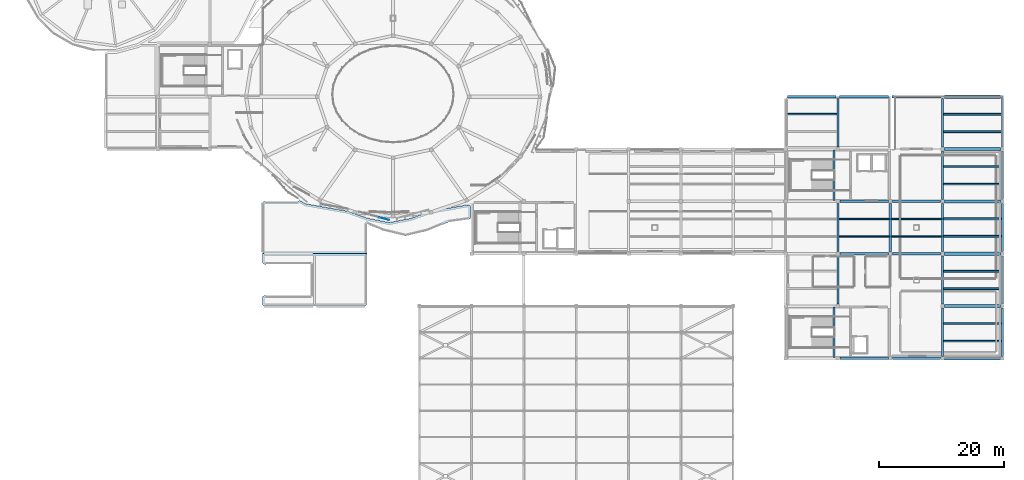
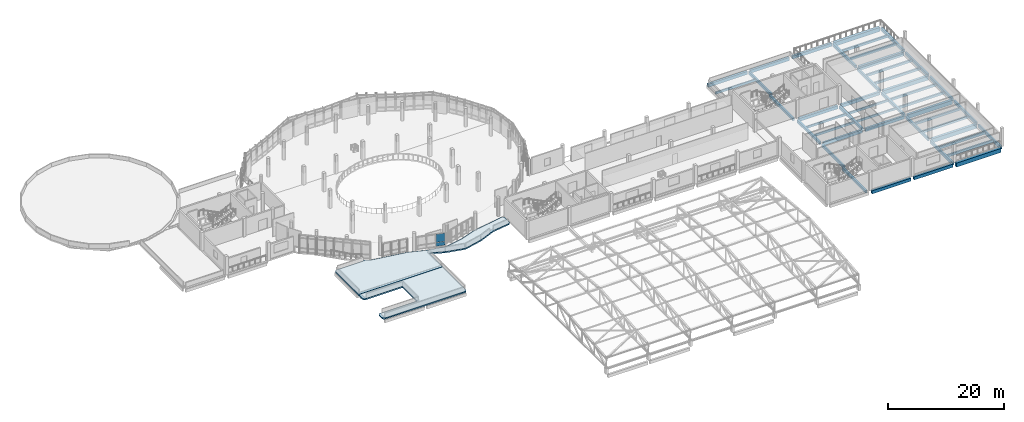
# One storey, part 48 of 74: 46 beams, 2 plates, 2 slabs, 1 element without a shape of its own.
"""IFC4 building model written with IfcOpenShell, lengths in metres."""

from ifc_helpers import new_model, si_unit, derived_unit, direction, frame, origin, origin_2d, place, context, subcontext, project, spatial, polyline, rectangle, outline, extrude, material, layer, layer_set, material_profile, profile_set, type_object, element, aggregate, save


model = new_model("IFC4")

# Units and contexts
model_context = context("Model", 3, precision=1e-05, world=origin(), true_north=direction((0.0, 1.0)))
body_context = subcontext(model_context, "Body", "Model", "MODEL_VIEW")
ifc_project = project(units=[si_unit("LENGTHUNIT", "METRE"), si_unit("AREAUNIT", "SQUARE_METRE"), si_unit("VOLUMEUNIT", "CUBIC_METRE"), si_unit("PLANEANGLEUNIT", "RADIAN"), si_unit("MASSUNIT", "GRAM", prefix="KILO"), derived_unit("THERMALTRANSMITTANCEUNIT", [(si_unit("POWERUNIT", "WATT"), 1), (si_unit("LENGTHUNIT", "METRE"), -2), (si_unit("THERMODYNAMICTEMPERATUREUNIT", "KELVIN"), -1)])], contexts=[model_context])

# Site, building, storey
site_placement = place(None, origin())
site = spatial("IfcSite", under=ifc_project, at=site_placement, CompositionType="ELEMENT")
building_placement = place(site_placement, origin())
building = spatial("IfcBuilding", under=site, at=building_placement, Name="Elbkamm Science Centre", CompositionType="ELEMENT")
storey_placement = place(building_placement, frame((0.0, 0.0, 14.39990234375)))
storey = spatial("IfcBuildingStorey", under=building, at=storey_placement, Name="L03", CompositionType="ELEMENT", Elevation=14.39990234375)

# Beams
ifc_material_1 = material(Name="Concrete C40/50", Category="concrete")
ifc_material_profile_1 = material_profile(ifc_material_1, rectangle(XDim=0.35009765625, YDim=0.60009765625, at=origin_2d()), Name="RC 350x600")
ifc_profile_set_1 = profile_set([ifc_material_profile_1], Name="Concrete C40/50")
beam_type_1 = type_object("IfcBeamType", Name="BM-RC-350x600", PredefinedType="BEAM", material=ifc_profile_set_1)
for number, where, z_axis, x_axis, name in (
    (1, (134.39990234375, 33.925048828125, -0.579833984375), (0.0, 1.0, 0.0), (-1.0, 0.0, 0.0), "L03 Primary Y-Girder 014"),
    (2, (134.39990234375, 42.324951171875, -0.579833984375), (0.0, 1.0, 0.0), (-1.0, 0.0, 0.0), "L03 Primary Y-Girder 015"),
):
    element("IfcBeam", number, at=place(storey_placement, frame(where, z_axis=z_axis, x_axis=x_axis)), inside=storey, type_object=beam_type_1, Name=name, PredefinedType="BEAM", context=body_context, shape_type="SweptSolid", body=[
        extrude(rectangle(XDim=0.35009765625, YDim=0.60009765625, at=origin_2d()), origin(), (0.0, 0.0, 1.0), 7.75),
    ])
beam_1_placement = place(storey_placement, frame((134.39990234375, 59.125, -0.56982421875), z_axis=(0.0, 1.0, 0.0), x_axis=(-1.0, 0.0, 0.0)))
element("IfcBeam", 3, at=beam_1_placement, inside=storey, type_object=beam_type_1, Name="L03 Primary Y-Girder 016", PredefinedType="BEAM", context=body_context, shape_type="SweptSolid", body=[
    extrude(rectangle(XDim=0.35009765625, YDim=0.60009765625, at=origin_2d()), origin(), (0.0, 0.0, 1.0), 7.800048828125),
])
for number, where, z_axis, x_axis, name in (
    (4, (142.800048828125, 42.324951171875, -0.579833984375), (0.0, 1.0, 0.0), (-1.0, 0.0, 0.0), "L03 Primary Y-Girder 017"),
    (5, (151.199951171875, 25.52490234375, -0.579833984375), (0.0, 1.0, 0.0), (-1.0, 0.0, 0.0), "L03 Primary Y-Girder 018"),
    (6, (151.199951171875, 33.925048828125, -0.579833984375), (0.0, 1.0, 0.0), (-1.0, 0.0, 0.0), "L03 Primary Y-Girder 019"),
    (7, (151.199951171875, 42.324951171875, -0.579833984375), (0.0, 1.0, 0.0), (-1.0, 0.0, 0.0), "L03 Primary Y-Girder 020"),
    (8, (151.199951171875, 50.72509765625, -0.579833984375), (0.0, 1.0, 0.0), (-1.0, 0.0, 0.0), "L03 Primary Y-Girder 021"),
):
    element("IfcBeam", number, at=place(storey_placement, frame(where, z_axis=z_axis, x_axis=x_axis)), inside=storey, type_object=beam_type_1, Name=name, PredefinedType="BEAM", context=body_context, shape_type="SweptSolid", body=[
        extrude(rectangle(XDim=0.35009765625, YDim=0.60009765625, at=origin_2d()), origin(), (0.0, 0.0, 1.0), 7.75),
    ])
beam_2_placement = place(storey_placement, frame((151.199951171875, 59.125, -0.52001953125), z_axis=(0.0, 1.0, 0.0), x_axis=(-1.0, 0.0, 0.0)))
element("IfcBeam", 9, at=beam_2_placement, inside=storey, type_object=beam_type_1, Name="L03 Primary Y-Girder 022", PredefinedType="BEAM", context=body_context, shape_type="SweptSolid", body=[
    extrude(rectangle(XDim=0.35009765625, YDim=0.60009765625, at=origin_2d()), origin(), (0.0, 0.0, 1.0), 7.800048828125),
])
for number, where, z_axis, x_axis, name in (
    (10, (160.800048828125, 25.52490234375, -0.579833984375), (0.0, 1.0, 0.0), (-1.0, 0.0, 0.0), "L03 Primary Y-Girder 023"),
    (11, (160.800048828125, 33.925048828125, -0.579833984375), (0.0, 1.0, 0.0), (-1.0, 0.0, 0.0), "L03 Primary Y-Girder 024"),
    (12, (160.800048828125, 42.324951171875, -0.579833984375), (0.0, 1.0, 0.0), (-1.0, 0.0, 0.0), "L03 Primary Y-Girder 025"),
    (13, (160.800048828125, 50.72509765625, -0.579833984375), (0.0, 1.0, 0.0), (-1.0, 0.0, 0.0), "L03 Primary Y-Girder 026"),
):
    element("IfcBeam", number, at=place(storey_placement, frame(where, z_axis=z_axis, x_axis=x_axis)), inside=storey, type_object=beam_type_1, Name=name, PredefinedType="BEAM", context=body_context, shape_type="SweptSolid", body=[
        extrude(rectangle(XDim=0.35009765625, YDim=0.60009765625, at=origin_2d()), origin(), (0.0, 0.0, 1.0), 7.75),
    ])
beam_3_placement = place(storey_placement, frame((160.800048828125, 59.125, -0.52001953125), z_axis=(0.0, 1.0, 0.0), x_axis=(-1.0, 0.0, 0.0)))
element("IfcBeam", 14, at=beam_3_placement, inside=storey, type_object=beam_type_1, Name="L03 Primary Y-Girder 027", PredefinedType="BEAM", context=body_context, shape_type="SweptSolid", body=[
    extrude(rectangle(XDim=0.35009765625, YDim=0.60009765625, at=origin_2d()), origin(), (0.0, 0.0, 1.0), 7.800048828125),
])
for number, where, z_axis, x_axis, name in (
    (15, (133.780029296875, 50.550048828125, -0.2998046875), (0.0, 1.0, 0.0), (-1.0, 0.0, 0.0), "L03 ST-C3 Landing Trimmer Beam"),
    (16, (133.780029296875, 25.35009765625, -0.2998046875), (0.0, 1.0, 0.0), (-1.0, 0.0, 0.0), "L03 ST-C4 Landing Trimmer Beam"),
):
    element("IfcBeam", number, at=place(storey_placement, frame(where, z_axis=z_axis, x_axis=x_axis)), inside=storey, type_object=beam_type_1, Name=name, PredefinedType="BEAM", context=body_context, shape_type="SweptSolid", body=[
        extrude(rectangle(XDim=0.35009765625, YDim=0.60009765625, at=origin_2d()), origin(), (0.0, 0.0, 1.0), 8.099853515625),
    ])
ifc_material_profile_2 = material_profile(ifc_material_1, rectangle(XDim=0.39990234375, YDim=0.64990234375, at=origin_2d()), Name="RC 400x650")
ifc_profile_set_2 = profile_set([ifc_material_profile_2], Name="Concrete C40/50")
beam_type_2 = type_object("IfcBeamType", Name="BM-RC-400x650", PredefinedType="BEAM", material=ifc_profile_set_2)
for number, where, z_axis, x_axis, name in (
    (17, (134.72509765625, 25.199951171875, -0.60498046875), (1.0, 0.0, 0.0), (0.0, 1.0, 0.0), "L03 Primary X-Girder 002"),
    (18, (143.125, 25.199951171875, -0.60498046875), (1.0, 0.0, 0.0), (0.0, 1.0, 0.0), "L03 Primary X-Girder 003"),
    (19, (134.72509765625, 42.0, -0.60498046875), (1.0, 0.0, 0.0), (0.0, 1.0, 0.0), "L03 Primary X-Girder 014"),
    (20, (143.125, 42.0, -0.60498046875), (1.0, 0.0, 0.0), (0.0, 1.0, 0.0), "L03 Primary X-Girder 015"),
    (21, (134.72509765625, 50.39990234375, -0.60498046875), (1.0, 0.0, 0.0), (0.0, 1.0, 0.0), "L03 Primary X-Girder 021"),
    (22, (143.125, 50.39990234375, -0.60498046875), (1.0, 0.0, 0.0), (0.0, 1.0, 0.0), "L03 Primary X-Girder 022"),
):
    element("IfcBeam", number, at=place(storey_placement, frame(where, z_axis=z_axis, x_axis=x_axis)), inside=storey, type_object=beam_type_2, Name=name, PredefinedType="BEAM", context=body_context, shape_type="SweptSolid", body=[
        extrude(rectangle(XDim=0.39990234375, YDim=0.64990234375, at=origin_2d()), origin(), (0.0, 0.0, 1.0), 7.75),
    ])
beam_4_placement = place(storey_placement, frame((126.27490234375, 67.199951171875, -0.594970703125), z_axis=(1.0, 0.0, 0.0), x_axis=(0.0, 1.0, 0.0)))
element("IfcBeam", 23, at=beam_4_placement, inside=storey, type_object=beam_type_2, Name="L03 Primary X-Girder 032", PredefinedType="BEAM", context=body_context, shape_type="SweptSolid", body=[
    extrude(rectangle(XDim=0.39990234375, YDim=0.64990234375, at=origin_2d()), origin(), (0.0, 0.0, 1.0), 7.85009765625),
])
beam_5_placement = place(storey_placement, frame((134.675048828125, 67.199951171875, -0.594970703125), z_axis=(1.0, 0.0, 0.0), x_axis=(0.0, 1.0, 0.0)))
element("IfcBeam", 24, at=beam_5_placement, inside=storey, type_object=beam_type_2, Name="L03 Primary X-Girder 033", PredefinedType="BEAM", context=body_context, shape_type="SweptSolid", body=[
    extrude(rectangle(XDim=0.39990234375, YDim=0.64990234375, at=origin_2d()), origin(), (0.0, 0.0, 1.0), 7.849853515625),
])
beam_6_placement = place(storey_placement, frame((143.074951171875, 67.199951171875, -0.544921875), z_axis=(1.0, 0.0, 0.0), x_axis=(0.0, 1.0, 0.0)))
element("IfcBeam", 25, at=beam_6_placement, inside=storey, type_object=beam_type_2, Name="L03 Primary X-Girder 034", PredefinedType="BEAM", context=body_context, shape_type="SweptSolid", body=[
    extrude(rectangle(XDim=0.39990234375, YDim=0.64990234375, at=origin_2d()), origin(), (0.0, 0.0, 1.0), 7.85009765625),
])
ifc_material_profile_3 = material_profile(ifc_material_1, rectangle(XDim=0.5, YDim=0.85009765625, at=origin_2d()), Name="RC 500x850")
ifc_profile_set_3 = profile_set([ifc_material_profile_3], Name="Concrete C40/50")
beam_type_3 = type_object("IfcBeamType", Name="BM-RC-500x850", PredefinedType="BEAM", material=ifc_profile_set_3)
for number, where, z_axis, x_axis, name in (
    (26, (151.52490234375, 25.199951171875, -0.704833984375), (1.0, 0.0, 0.0), (0.0, 1.0, 0.0), "L03 Primary X-Girder 004"),
    (27, (151.52490234375, 33.60009765625, -0.704833984375), (1.0, 0.0, 0.0), (0.0, 1.0, 0.0), "L03 Primary X-Girder 006"),
    (28, (151.52490234375, 42.0, -0.704833984375), (1.0, 0.0, 0.0), (0.0, 1.0, 0.0), "L03 Primary X-Girder 016"),
    (29, (151.52490234375, 50.39990234375, -0.704833984375), (1.0, 0.0, 0.0), (0.0, 1.0, 0.0), "L03 Primary X-Girder 023"),
    (30, (151.52490234375, 58.800048828125, -0.704833984375), (1.0, 0.0, 0.0), (0.0, 1.0, 0.0), "L03 Primary X-Girder 030"),
):
    element("IfcBeam", number, at=place(storey_placement, frame(where, z_axis=z_axis, x_axis=x_axis)), inside=storey, type_object=beam_type_3, Name=name, PredefinedType="BEAM", context=body_context, shape_type="SweptSolid", body=[
        extrude(rectangle(XDim=0.5, YDim=0.85009765625, at=origin_2d()), origin(), (0.0, 0.0, 1.0), 8.9501953125),
    ])
beam_7_placement = place(storey_placement, frame((151.47509765625, 67.199951171875, -0.64501953125), z_axis=(1.0, 0.0, 0.0), x_axis=(0.0, 1.0, 0.0)))
element("IfcBeam", 31, at=beam_7_placement, inside=storey, type_object=beam_type_3, Name="L03 Primary X-Girder 035", PredefinedType="BEAM", context=body_context, shape_type="SweptSolid", body=[
    extrude(rectangle(XDim=0.5, YDim=0.85009765625, at=origin_2d()), origin(), (0.0, 0.0, 1.0), 9.0498046875),
])
ifc_material_profile_4 = material_profile(ifc_material_1, rectangle(XDim=0.25, YDim=0.449951171875, at=origin_2d()), Name="RC 250x450")
ifc_profile_set_4 = profile_set([ifc_material_profile_4], Name="Concrete C40/50")
beam_type_4 = type_object("IfcBeamType", Name="JST-RC-250x450", PredefinedType="JOIST", material=ifc_profile_set_4)
for number, where, z_axis, x_axis, name in (
    (32, (134.580078125, 44.800048828125, -0.5048828125), (1.0, 0.0, 0.0), (0.0, 1.0, 0.0), "L03 Secondary Floor Joist 019"),
    (33, (134.580078125, 47.60009765625, -0.5048828125), (1.0, 0.0, 0.0), (0.0, 1.0, 0.0), "L03 Secondary Floor Joist 020"),
    (34, (142.97998046875, 44.800048828125, -0.5048828125), (1.0, 0.0, 0.0), (0.0, 1.0, 0.0), "L03 Secondary Floor Joist 021"),
    (35, (142.97998046875, 47.60009765625, -0.5048828125), (1.0, 0.0, 0.0), (0.0, 1.0, 0.0), "L03 Secondary Floor Joist 022"),
    (36, (126.179931640625, 64.39990234375, -0.494873046875), (1.0, 0.0, 0.0), (0.0, 1.0, 0.0), "L03 Step-Back Secondary Floor Joist 004"),
):
    element("IfcBeam", number, at=place(storey_placement, frame(where, z_axis=z_axis, x_axis=x_axis)), inside=storey, type_object=beam_type_4, Name=name, PredefinedType="JOIST", context=body_context, shape_type="SweptSolid", body=[
        extrude(rectangle(XDim=0.25, YDim=0.449951171875, at=origin_2d()), origin(), (0.0, 0.0, 1.0), 8.0400390625),
    ])
ifc_material_profile_5 = material_profile(ifc_material_1, rectangle(XDim=0.300048828125, YDim=0.5, at=origin_2d()), Name="RC 300x500")
ifc_profile_set_5 = profile_set([ifc_material_profile_5], Name="Concrete C40/50")
beam_type_5 = type_object("IfcBeamType", Name="JST-RC-300x500", PredefinedType="JOIST", material=ifc_profile_set_5)
for number, where, z_axis, x_axis, name in (
    (37, (151.3798828125, 28.0, -0.52978515625), (1.0, 0.0, 0.0), (0.0, 1.0, 0.0), "L03 Secondary Floor Joist 023"),
    (38, (151.3798828125, 30.800048828125, -0.52978515625), (1.0, 0.0, 0.0), (0.0, 1.0, 0.0), "L03 Secondary Floor Joist 024"),
    (39, (151.3798828125, 36.39990234375, -0.52978515625), (1.0, 0.0, 0.0), (0.0, 1.0, 0.0), "L03 Secondary Floor Joist 025"),
    (40, (151.3798828125, 39.199951171875, -0.52978515625), (1.0, 0.0, 0.0), (0.0, 1.0, 0.0), "L03 Secondary Floor Joist 026"),
    (41, (151.3798828125, 44.800048828125, -0.52978515625), (1.0, 0.0, 0.0), (0.0, 1.0, 0.0), "L03 Secondary Floor Joist 027"),
    (42, (151.3798828125, 47.60009765625, -0.52978515625), (1.0, 0.0, 0.0), (0.0, 1.0, 0.0), "L03 Secondary Floor Joist 028"),
    (43, (151.3798828125, 53.199951171875, -0.52978515625), (1.0, 0.0, 0.0), (0.0, 1.0, 0.0), "L03 Secondary Floor Joist 029"),
    (44, (151.3798828125, 56.0, -0.52978515625), (1.0, 0.0, 0.0), (0.0, 1.0, 0.0), "L03 Secondary Floor Joist 030"),
    (45, (151.3798828125, 61.60009765625, -0.469970703125), (1.0, 0.0, 0.0), (0.0, 1.0, 0.0), "L03 Secondary Floor Joist 031"),
    (46, (151.3798828125, 64.39990234375, -0.469970703125), (1.0, 0.0, 0.0), (0.0, 1.0, 0.0), "L03 Secondary Floor Joist 032"),
):
    element("IfcBeam", number, at=place(storey_placement, frame(where, z_axis=z_axis, x_axis=x_axis)), inside=storey, type_object=beam_type_5, Name=name, PredefinedType="JOIST", context=body_context, shape_type="SweptSolid", body=[
        extrude(rectangle(XDim=0.300048828125, YDim=0.5, at=origin_2d()), origin(), (0.0, 0.0, 1.0), 9.240234375),
    ])

# Curtain wall, plates
ifc_material_2 = material(Name="Powder-coated aluminium and triple low-E glazing", Category="aluminium")
ifc_layer_1 = layer(ifc_material_2, 0.159912109375)
ifc_layer_set_1 = layer_set([ifc_layer_1], Name="Powder-coated aluminium and triple low-E glazing")
curtain_wall_type = type_object("IfcCurtainWallType", Name="CW-UNIT-5080x2680", PredefinedType="USERDEFINED", material=ifc_layer_set_1)
curtain_wall_placement = place(storey_placement, origin())
curtain_wall = element("IfcCurtainWall", 47, at=curtain_wall_placement, inside=storey, type_object=curtain_wall_type, Name="L03 Unitised Curtain Wall 070", ObjectType="UNITISED CURTAIN WALL", PredefinedType="USERDEFINED")
ifc_material_3 = material(Name="Triple solar-control insulated safety glass", Category="glass")
ifc_layer_2 = layer(ifc_material_3, 0.0400390625)
ifc_layer_set_2 = layer_set([ifc_layer_2], Name="Triple solar-control insulated safety glass")
plate_type = type_object("IfcPlateType", Name="CW-PNL-40", PredefinedType="CURTAIN_PANEL", material=ifc_layer_set_2)
plate_1_placement = place(storey_placement, frame((61.569580078125, 47.60888671875, 0.06005859375), z_axis=(0.0, 0.0, 1.0), x_axis=(0.964050912407, -0.265717591226, 0.0)))
plate_1 = element("IfcPlate", 48, at=plate_1_placement, type_object=plate_type, Name="CW-029 panel 3.1", PredefinedType="CURTAIN_PANEL", context=body_context, shape_type="SweptSolid", body=[
    extrude(rectangle(XDim=1.6025390625, YDim=0.0400390625, at=origin_2d()), origin(), (0.0, 0.0, 1.0), 0.760009765625),
])
plate_2_placement = place(storey_placement, frame((61.569580078125, 47.60888671875, 0.880126953125), z_axis=(0.0, 0.0, 1.0), x_axis=(0.964050912407, -0.265717591226, 0.0)))
plate_2 = element("IfcPlate", 49, at=plate_2_placement, type_object=plate_type, Name="CW-029 panel 3.2", PredefinedType="CURTAIN_PANEL", context=body_context, shape_type="SweptSolid", body=[
    extrude(rectangle(XDim=1.6025390625, YDim=0.0400390625, at=origin_2d()), origin(), (0.0, 0.0, 1.0), 1.72998046875),
])
aggregate(curtain_wall, [plate_1, plate_2])

# Slabs
ifc_material_4 = material(Name="Reinforced concrete C40/50", Category="concrete")
ifc_layer_3 = layer(ifc_material_4, 0.27001953125)
ifc_layer_set_3 = layer_set([ifc_layer_3], Name="Reinforced concrete C40/50")
slab_type = type_object("IfcSlabType", Name="SLAB-ROOF-270", PredefinedType="ROOF", material=ifc_layer_set_3)
slab_1_placement = place(storey_placement, frame((0.0, 0.0, -0.27001953125)))
element("IfcSlab", 50, at=slab_1_placement, inside=storey, type_object=slab_type, Name="L03 Step-Back Roof Slab 03", PredefinedType="ROOF", context=body_context, shape_type="SweptSolid", body=[
    extrude(outline(polyline([(42.009033203125, 34.9462890625), (42.0205078125, 34.990234375), (42.0361328125, 35.03271484375), (42.055908203125, 35.073486328125), (42.079833984375, 35.112060546875), (42.107421875, 35.14794921875), (42.138427734375, 35.180908203125), (42.172607421875, 35.210693359375), (42.209716796875, 35.23681640625), (42.249267578125, 35.259033203125), (42.290771484375, 35.277099609375), (42.333984375, 35.291015625), (42.378173828125, 35.300537109375), (42.42333984375, 35.305419921875), (42.468505859375, 35.305908203125), (42.513671875, 35.3017578125), (42.55810546875, 35.293212890625), (42.5986328125, 35.281005859375), (42.60009765625, 35.280517578125), (42.60009765625, 35.280029296875), (42.611083984375, 35.280029296875), (49.76904296875, 35.280029296875), (49.780029296875, 35.280029296875), (49.780029296875, 35.291015625), (49.780029296875, 40.30908203125), (49.780029296875, 40.320068359375), (49.76904296875, 40.320068359375), (42.611083984375, 40.320068359375), (42.60009765625, 40.320068359375), (42.60009765625, 40.3193359375), (42.5986328125, 40.319091796875), (42.55810546875, 40.306884765625), (42.513671875, 40.298095703125), (42.468505859375, 40.294189453125), (42.42333984375, 40.29443359375), (42.378173828125, 40.299560546875), (42.333984375, 40.308837890625), (42.290771484375, 40.32275390625), (42.249267578125, 40.341064453125), (42.209716796875, 40.36328125), (42.172607421875, 40.389404296875), (42.138427734375, 40.4189453125), (42.107421875, 40.451904296875), (42.079833984375, 40.48779296875), (42.055908203125, 40.526611328125), (42.0361328125, 40.567138671875), (42.0205078125, 40.609619140625), (42.009033203125, 40.653564453125), (42.002197265625, 40.698486328125), (42.0, 40.74365234375), (42.0, 42.0), (58.800048828125, 42.0), (58.800048828125, 34.050048828125), (58.7978515625, 34.005859375), (58.79150390625, 33.962158203125), (58.780517578125, 33.91943359375), (58.765625, 33.877685546875), (58.746826171875, 33.837890625), (58.72412109375, 33.800048828125), (58.697998046875, 33.764404296875), (58.668212890625, 33.731689453125), (58.635498046875, 33.7021484375), (58.60009765625, 33.67578125), (58.56201171875, 33.653076171875), (58.522216796875, 33.63427734375), (58.480712890625, 33.619384765625), (58.437744140625, 33.608642578125), (58.39404296875, 33.602294921875), (58.35009765625, 33.60009765625), (42.449951171875, 33.60009765625), (42.406005859375, 33.602294921875), (42.3623046875, 33.608642578125), (42.3193359375, 33.619384765625), (42.27783203125, 33.63427734375), (42.23779296875, 33.653076171875), (42.199951171875, 33.67578125), (42.16455078125, 33.7021484375), (42.1318359375, 33.731689453125), (42.10205078125, 33.764404296875), (42.07568359375, 33.800048828125), (42.052978515625, 33.837890625), (42.0341796875, 33.877685546875), (42.019287109375, 33.91943359375), (42.008544921875, 33.962158203125), (42.002197265625, 34.005859375), (42.0, 34.050048828125), (42.0, 34.856201171875), (42.002197265625, 34.901611328125), (42.009033203125, 34.9462890625)])), origin(), (0.0, 0.0, 1.0), 0.27001953125),
])
slab_2_placement = place(storey_placement, frame((0.0, 0.0, -0.27001953125)))
element("IfcSlab", 51, at=slab_2_placement, inside=storey, type_object=slab_type, Name="L03 Step-Back Roof Slab 04", PredefinedType="ROOF", context=body_context, shape_type="SweptSolid", body=[
    extrude(outline(polyline([(42.0, 49.949951171875), (42.002197265625, 49.994140625), (42.008544921875, 50.037841796875), (42.019287109375, 50.08056640625), (42.0341796875, 50.122314453125), (42.052978515625, 50.162109375), (42.07568359375, 50.199951171875), (42.10205078125, 50.235595703125), (42.1318359375, 50.268310546875), (42.16455078125, 50.2978515625), (42.199951171875, 50.32421875), (42.23779296875, 50.346923828125), (42.27783203125, 50.36572265625), (42.3193359375, 50.380615234375), (42.3623046875, 50.391357421875), (42.406005859375, 50.397705078125), (42.449951171875, 50.39990234375), (47.676513671875, 50.39990234375), (47.6875, 50.39990234375), (47.68701171875, 50.400390625), (47.687255859375, 50.400390625), (47.68798828125, 50.401123046875), (47.720458984375, 50.427001953125), (47.757080078125, 50.450927734375), (47.7958984375, 50.47119140625), (47.83642578125, 50.487548828125), (47.878662109375, 50.5), (47.921630859375, 50.50830078125), (47.965087890625, 50.51220703125), (48.009033203125, 50.511962890625), (48.052490234375, 50.50732421875), (48.095703125, 50.498779296875), (48.137451171875, 50.48583984375), (48.177978515625, 50.468994140625), (48.216552734375, 50.447998046875), (48.21923828125, 50.446533203125), (48.933349609375, 50.0166015625), (48.937744140625, 50.013916015625), (48.940185546875, 50.0126953125), (48.942626953125, 50.011474609375), (48.9453125, 50.0107421875), (48.947998046875, 50.010009765625), (48.95361328125, 50.009033203125), (52.373779296875, 49.401123046875), (52.37548828125, 49.40087890625), (52.37548828125, 49.40087890625), (55.663818359375, 48.83837890625), (55.663818359375, 48.83837890625), (55.70166015625, 48.830078125), (55.73876953125, 48.81884765625), (58.930419921875, 47.682373046875), (58.934326171875, 47.680908203125), (58.9365234375, 47.680419921875), (58.938720703125, 47.679931640625), (58.943115234375, 47.678955078125), (62.388916015625, 47.001708984375), (62.394287109375, 47.00048828125), (62.397216796875, 47.0), (62.39990234375, 47.0), (62.40283203125, 47.0), (62.40576171875, 47.00048828125), (62.411865234375, 47.001708984375), (65.857421875, 47.67919921875), (65.861328125, 47.679931640625), (65.863525390625, 47.680419921875), (65.86572265625, 47.680908203125), (65.8701171875, 47.6826171875), (67.562255859375, 48.28515625), (69.061279296875, 48.81884765625), (69.098388671875, 48.830078125), (69.13623046875, 48.83837890625), (72.423095703125, 49.400634765625), (72.424560546875, 49.40087890625), (72.424560546875, 49.40087890625), (74.97119140625, 49.853515625), (74.97119140625, 49.853515625), (75.0146484375, 49.859130859375), (75.05810546875, 49.8603515625), (75.101806640625, 49.857421875), (75.144775390625, 49.850341796875), (75.18701171875, 49.839111328125), (75.227783203125, 49.82373046875), (75.26708984375, 49.8046875), (75.30419921875, 49.78173828125), (75.339111328125, 49.75537109375), (75.37109375, 49.725830078125), (75.400146484375, 49.693115234375), (75.42578125, 49.657958984375), (75.447998046875, 49.620361328125), (75.466552734375, 49.580810546875), (75.481201171875, 49.53955078125), (75.49169921875, 49.497314453125), (75.497802734375, 49.4541015625), (75.5, 49.410400390625), (75.5, 47.962890625), (75.498046875, 47.920166015625), (75.49169921875, 47.877685546875), (75.481689453125, 47.8359375), (75.467529296875, 47.79541015625), (75.44970703125, 47.75634765625), (75.42822265625, 47.71923828125), (75.4033203125, 47.684326171875), (75.375244140625, 47.65185546875), (75.343994140625, 47.622314453125), (75.310302734375, 47.595947265625), (75.274169921875, 47.57275390625), (75.23583984375, 47.55322265625), (75.196044921875, 47.537353515625), (75.15478515625, 47.525390625), (75.112548828125, 47.517333984375), (71.859375, 47.06005859375), (71.849853515625, 47.05859375), (71.841064453125, 47.054931640625), (70.952880859375, 46.68505859375), (68.5966796875, 45.703857421875), (68.56298828125, 45.69140625), (68.528076171875, 45.681396484375), (65.1044921875, 44.864990234375), (65.06298828125, 44.857177734375), (65.02099609375, 44.85302734375), (64.97900390625, 44.85302734375), (64.93701171875, 44.857177734375), (64.8955078125, 44.864990234375), (64.840576171875, 44.8779296875), (61.471923828125, 45.681396484375), (61.43701171875, 45.69140625), (61.4033203125, 45.703857421875), (58.822998046875, 46.778564453125), (58.810302734375, 46.78369140625), (58.800048828125, 46.7880859375), (58.800048828125, 46.777099609375), (58.800048828125, 42.0), (42.0, 42.0), (42.0, 49.949951171875)])), origin(), (0.0, 0.0, 1.0), 0.27001953125),
])

save(model, "model.ifc")
